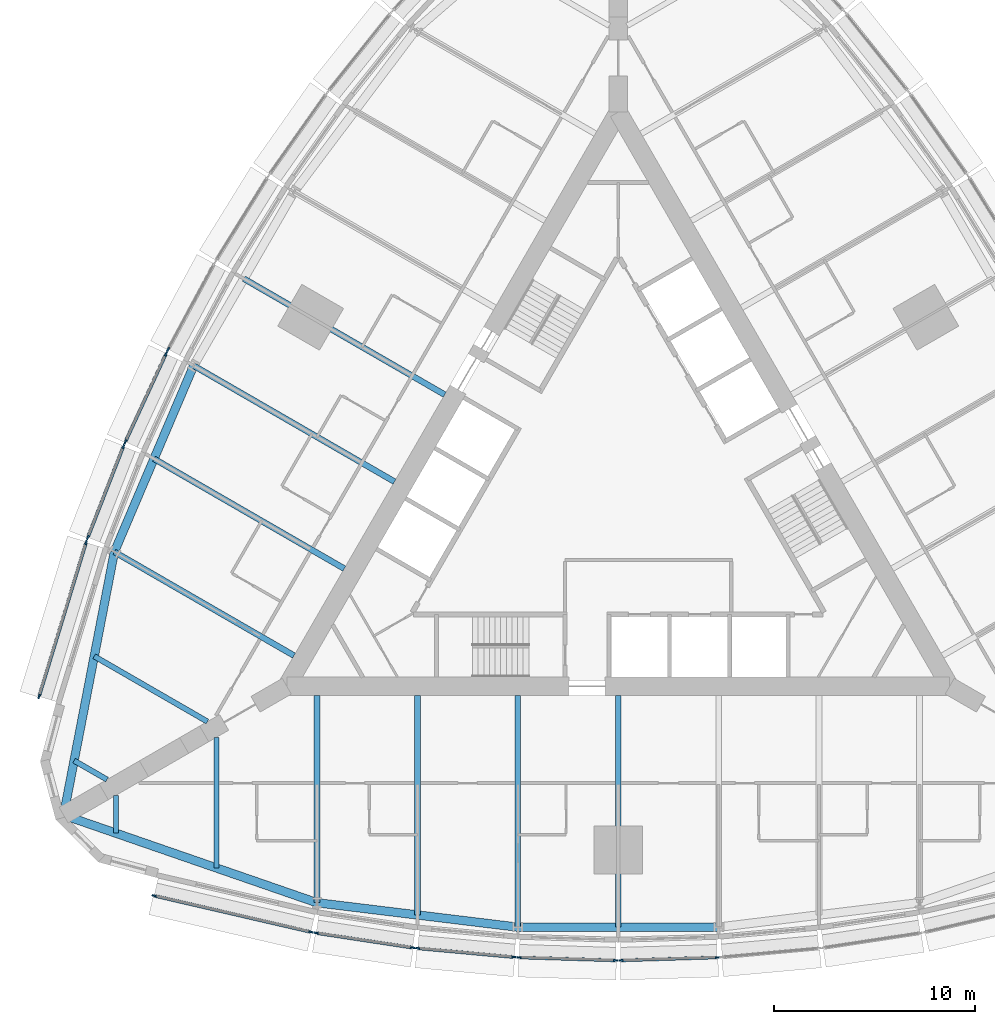
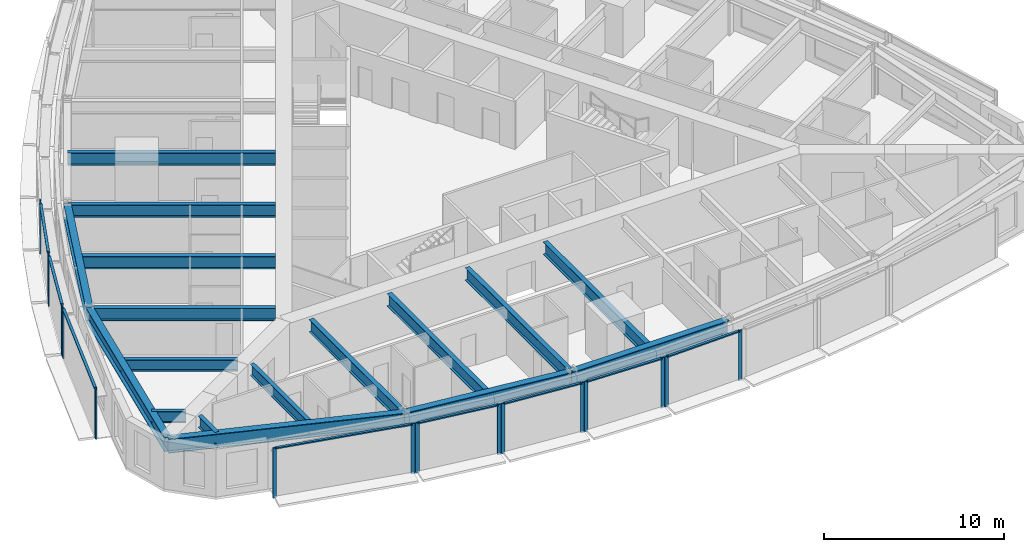
# One storey, part 2 of 14: 25 members, 17 beams, 9 elements without a shape of their own.
"""IFC4 building model written with IfcOpenShell, lengths in metres."""

from ifc_helpers import new_model, si_unit, direction, frame, origin, origin_2d, place, context, subcontext, project, spatial, rectangle, i_section, extrude, material, material_profile, profile_set, type_object, element, aggregate, save


model = new_model("IFC4")

# Units and contexts
model_context = context("Model", 3, precision=1e-05, world=origin(), true_north=direction((0.0, 1.0)))
body_context = subcontext(model_context, "Body", "Model", "MODEL_VIEW")
ifc_project = project(units=[si_unit("LENGTHUNIT", "METRE"), si_unit("AREAUNIT", "SQUARE_METRE"), si_unit("VOLUMEUNIT", "CUBIC_METRE"), si_unit("PLANEANGLEUNIT", "RADIAN"), si_unit("MASSUNIT", "GRAM", prefix="KILO")], contexts=[model_context])

# Site, building, storey
site_placement = place(None, origin())
site = spatial("IfcSite", under=ifc_project, at=site_placement, CompositionType="ELEMENT")
building_placement = place(site_placement, origin())
building = spatial("IfcBuilding", under=site, at=building_placement, Name="Trikona Tower", CompositionType="ELEMENT")
storey_placement = place(building_placement, frame((0.0, 0.0, 76.10009765625)))
storey = spatial("IfcBuildingStorey", under=building, at=storey_placement, Name="L19", CompositionType="ELEMENT", Elevation=76.10009765625)

# Curtain wall, members
ifc_material_1 = material(Name="Aluminium curtain wall system", Category="aluminium")
curtain_wall_type = type_object("IfcCurtainWallType", Name="Curtain wall DS1", PredefinedType="NOTDEFINED", material=ifc_material_1)
curtain_wall_1_placement = place(storey_placement, origin())
curtain_wall_1 = element("IfcCurtainWall", 1, at=curtain_wall_1_placement, inside=storey, type_object=curtain_wall_type, Name="Curtain wall DS1 L19", PredefinedType="NOTDEFINED")
ifc_material_2 = material(Name="Aluminium mullion, pale anodised", Category="aluminium")
ifc_material_profile_1 = material_profile(ifc_material_2, rectangle(XDim=0.080078125, YDim=0.219970703125, at=origin_2d()), Name="MUL-DS1")
ifc_profile_set_1 = profile_set([ifc_material_profile_1], Name="Aluminium mullion, pale anodised")
member_type_1 = type_object("IfcMemberType", Name="Mullion DS1 80x220", PredefinedType="MULLION", material=ifc_profile_set_1)
member_1_placement = place(storey_placement, frame((-23.10546875, -19.951904296875, 0.0), z_axis=(0.0, 0.0, 1.0), x_axis=(0.225343288756, 0.974279427173, 0.0)))
member_1 = element("IfcMember", 2, at=member_1_placement, type_object=member_type_1, Name="CW-DS1 mullion 1", PredefinedType="MULLION", context=body_context, shape_type="SweptSolid", body=[
    extrude(rectangle(XDim=0.080078125, YDim=0.219970703125, at=origin_2d()), origin(), (0.0, 0.0, 1.0), 3.39990234375),
])
member_2_placement = place(storey_placement, frame((-15.30029296875, -21.75732421875, 0.0), z_axis=(0.0, 0.0, 1.0), x_axis=(0.225343288756, 0.974279427173, 0.0)))
member_2 = element("IfcMember", 3, at=member_2_placement, type_object=member_type_1, Name="CW-DS1 mullion 2", PredefinedType="MULLION", context=body_context, shape_type="SweptSolid", body=[
    extrude(rectangle(XDim=0.080078125, YDim=0.219970703125, at=origin_2d()), origin(), (0.0, 0.0, 1.0), 3.39990234375),
])

curtain_wall_2_placement = place(storey_placement, origin())
curtain_wall_2 = element("IfcCurtainWall", 4, at=curtain_wall_2_placement, inside=storey, type_object=curtain_wall_type, Name="Curtain wall DS1 L19", PredefinedType="NOTDEFINED")
member_3_placement = place(storey_placement, frame((-15.03662109375, -21.807861328125, 0.0), z_axis=(0.0, 0.0, 1.0), x_axis=(0.150437693845, 0.988619492156, 0.0)))
member_3 = element("IfcMember", 5, at=member_3_placement, type_object=member_type_1, Name="CW-DS1 mullion 1", PredefinedType="MULLION", context=body_context, shape_type="SweptSolid", body=[
    extrude(rectangle(XDim=0.080078125, YDim=0.219970703125, at=origin_2d()), origin(), (0.0, 0.0, 1.0), 3.39990234375),
])
member_4_placement = place(storey_placement, frame((-10.234130859375, -22.53857421875, 0.0), z_axis=(0.0, 0.0, 1.0), x_axis=(0.150437693845, 0.988619492156, 0.0)))
member_4 = element("IfcMember", 6, at=member_4_placement, type_object=member_type_1, Name="CW-DS1 mullion 2", PredefinedType="MULLION", context=body_context, shape_type="SweptSolid", body=[
    extrude(rectangle(XDim=0.080078125, YDim=0.219970703125, at=origin_2d()), origin(), (0.0, 0.0, 1.0), 3.39990234375),
])

curtain_wall_3_placement = place(storey_placement, origin())
curtain_wall_3 = element("IfcCurtainWall", 7, at=curtain_wall_3_placement, inside=storey, type_object=curtain_wall_type, Name="Curtain wall DS1 L19", PredefinedType="NOTDEFINED")
member_5_placement = place(storey_placement, frame((-9.982177734375, -22.5693359375, 0.0), z_axis=(0.0, 0.0, 1.0), x_axis=(0.090923932737, 0.995857840485, 0.0)))
member_5 = element("IfcMember", 8, at=member_5_placement, type_object=member_type_1, Name="CW-DS1 mullion 1", PredefinedType="MULLION", context=body_context, shape_type="SweptSolid", body=[
    extrude(rectangle(XDim=0.080078125, YDim=0.219970703125, at=origin_2d()), origin(), (0.0, 0.0, 1.0), 3.39990234375),
])
member_6_placement = place(storey_placement, frame((-5.181396484375, -23.007568359375, 0.0), z_axis=(0.0, 0.0, 1.0), x_axis=(0.090923932737, 0.995857840485, 0.0)))
member_6 = element("IfcMember", 9, at=member_6_placement, type_object=member_type_1, Name="CW-DS1 mullion 2", PredefinedType="MULLION", context=body_context, shape_type="SweptSolid", body=[
    extrude(rectangle(XDim=0.080078125, YDim=0.219970703125, at=origin_2d()), origin(), (0.0, 0.0, 1.0), 3.39990234375),
])

curtain_wall_4_placement = place(storey_placement, origin())
curtain_wall_4 = element("IfcCurtainWall", 10, at=curtain_wall_4_placement, inside=storey, type_object=curtain_wall_type, Name="Curtain wall DS1 L19", PredefinedType="NOTDEFINED")
member_7_placement = place(storey_placement, frame((-4.927490234375, -23.02294921875, 0.0), z_axis=(0.0, 0.0, 1.0), x_axis=(0.030436711692, 0.999536695965, 0.0)))
member_7 = element("IfcMember", 11, at=member_7_placement, type_object=member_type_1, Name="CW-DS1 mullion 1", PredefinedType="MULLION", context=body_context, shape_type="SweptSolid", body=[
    extrude(rectangle(XDim=0.080078125, YDim=0.219970703125, at=origin_2d()), origin(), (0.0, 0.0, 1.0), 3.39990234375),
])
member_8_placement = place(storey_placement, frame((-0.12744140625, -23.169189453125, 0.0), z_axis=(0.0, 0.0, 1.0), x_axis=(0.030436711692, 0.999536695965, 0.0)))
member_8 = element("IfcMember", 12, at=member_8_placement, type_object=member_type_1, Name="CW-DS1 mullion 2", PredefinedType="MULLION", context=body_context, shape_type="SweptSolid", body=[
    extrude(rectangle(XDim=0.080078125, YDim=0.219970703125, at=origin_2d()), origin(), (0.0, 0.0, 1.0), 3.39990234375),
])

curtain_wall_5_placement = place(storey_placement, origin())
curtain_wall_5 = element("IfcCurtainWall", 13, at=curtain_wall_5_placement, inside=storey, type_object=curtain_wall_type, Name="Curtain wall DS1 L19", PredefinedType="NOTDEFINED")
member_9_placement = place(storey_placement, frame((0.12744140625, -23.169189453125, 0.0), z_axis=(0.0, 0.0, 1.0), x_axis=(-0.030436711692, 0.999536695965, 0.0)))
member_9 = element("IfcMember", 14, at=member_9_placement, type_object=member_type_1, Name="CW-DS1 mullion 1", PredefinedType="MULLION", context=body_context, shape_type="SweptSolid", body=[
    extrude(rectangle(XDim=0.080078125, YDim=0.219970703125, at=origin_2d()), origin(), (0.0, 0.0, 1.0), 3.39990234375),
])
member_10_placement = place(storey_placement, frame((4.927490234375, -23.02294921875, 0.0), z_axis=(0.0, 0.0, 1.0), x_axis=(-0.030436711692, 0.999536695965, 0.0)))
member_10 = element("IfcMember", 15, at=member_10_placement, type_object=member_type_1, Name="CW-DS1 mullion 2", PredefinedType="MULLION", context=body_context, shape_type="SweptSolid", body=[
    extrude(rectangle(XDim=0.080078125, YDim=0.219970703125, at=origin_2d()), origin(), (0.0, 0.0, 1.0), 3.39990234375),
])

# Curtain wall, member
curtain_wall_6_placement = place(storey_placement, origin())
curtain_wall_6 = element("IfcCurtainWall", 16, at=curtain_wall_6_placement, inside=storey, type_object=curtain_wall_type, Name="Curtain wall DS1 L19", PredefinedType="NOTDEFINED")
member_11_placement = place(storey_placement, frame((-22.402099609375, 7.244140625, 0.0), z_axis=(0.0, 0.0, 1.0), x_axis=(0.880843080975, -0.473408350896, 0.0)))
member_11 = element("IfcMember", 17, at=member_11_placement, type_object=member_type_1, Name="CW-DS1 mullion 2", PredefinedType="MULLION", context=body_context, shape_type="SweptSolid", body=[
    extrude(rectangle(XDim=0.080078125, YDim=0.219970703125, at=origin_2d()), origin(), (0.0, 0.0, 1.0), 3.39990234375),
])
aggregate(curtain_wall_6, [member_11])

# Curtain wall, members
curtain_wall_7_placement = place(storey_placement, origin())
curtain_wall_7 = element("IfcCurtainWall", 18, at=curtain_wall_7_placement, inside=storey, type_object=curtain_wall_type, Name="Curtain wall DS1 L19", PredefinedType="NOTDEFINED")
member_12_placement = place(storey_placement, frame((-22.515869140625, 7.0166015625, 0.0), z_axis=(0.0, 0.0, 1.0), x_axis=(0.907898459992, -0.419190155352, 0.0)))
member_12 = element("IfcMember", 19, at=member_12_placement, type_object=member_type_1, Name="CW-DS1 mullion 1", PredefinedType="MULLION", context=body_context, shape_type="SweptSolid", body=[
    extrude(rectangle(XDim=0.080078125, YDim=0.219970703125, at=origin_2d()), origin(), (0.0, 0.0, 1.0), 3.39990234375),
])
member_13_placement = place(storey_placement, frame((-24.53662109375, 2.6396484375, 0.0), z_axis=(0.0, 0.0, 1.0), x_axis=(0.907898459992, -0.419190155352, 0.0)))
member_13 = element("IfcMember", 20, at=member_13_placement, type_object=member_type_1, Name="CW-DS1 mullion 2", PredefinedType="MULLION", context=body_context, shape_type="SweptSolid", body=[
    extrude(rectangle(XDim=0.080078125, YDim=0.219970703125, at=origin_2d()), origin(), (0.0, 0.0, 1.0), 3.39990234375),
])

curtain_wall_8_placement = place(storey_placement, origin())
curtain_wall_8 = element("IfcCurtainWall", 21, at=curtain_wall_8_placement, inside=storey, type_object=curtain_wall_type, Name="Curtain wall DS1 L19", PredefinedType="NOTDEFINED")
member_14_placement = place(storey_placement, frame((-24.63623046875, 2.40625, 0.0), z_axis=(0.0, 0.0, 1.0), x_axis=(0.931395989443, -0.36400756977, 0.0)))
member_14 = element("IfcMember", 22, at=member_14_placement, type_object=member_type_1, Name="CW-DS1 mullion 1", PredefinedType="MULLION", context=body_context, shape_type="SweptSolid", body=[
    extrude(rectangle(XDim=0.080078125, YDim=0.219970703125, at=origin_2d()), origin(), (0.0, 0.0, 1.0), 3.39990234375),
])
member_15_placement = place(storey_placement, frame((-26.404296875, -2.1181640625, 0.0), z_axis=(0.0, 0.0, 1.0), x_axis=(0.931395989443, -0.36400756977, 0.0)))
member_15 = element("IfcMember", 23, at=member_15_placement, type_object=member_type_1, Name="CW-DS1 mullion 2", PredefinedType="MULLION", context=body_context, shape_type="SweptSolid", body=[
    extrude(rectangle(XDim=0.080078125, YDim=0.219970703125, at=origin_2d()), origin(), (0.0, 0.0, 1.0), 3.39990234375),
])

curtain_wall_9_placement = place(storey_placement, origin())
curtain_wall_9 = element("IfcCurtainWall", 24, at=curtain_wall_9_placement, inside=storey, type_object=curtain_wall_type, Name="Curtain wall DS1 L19", PredefinedType="NOTDEFINED")
member_16_placement = place(storey_placement, frame((-26.492431640625, -2.371826171875, 0.0), z_axis=(0.0, 0.0, 1.0), x_axis=(0.956423115383, -0.291984287868, 0.0)))
member_16 = element("IfcMember", 25, at=member_16_placement, type_object=member_type_1, Name="CW-DS1 mullion 1", PredefinedType="MULLION", context=body_context, shape_type="SweptSolid", body=[
    extrude(rectangle(XDim=0.080078125, YDim=0.219970703125, at=origin_2d()), origin(), (0.0, 0.0, 1.0), 3.39990234375),
])
member_17_placement = place(storey_placement, frame((-28.83154296875, -10.033935546875, 0.0), z_axis=(0.0, 0.0, 1.0), x_axis=(0.956423115383, -0.291984287868, 0.0)))
member_17 = element("IfcMember", 26, at=member_17_placement, type_object=member_type_1, Name="CW-DS1 mullion 2", PredefinedType="MULLION", context=body_context, shape_type="SweptSolid", body=[
    extrude(rectangle(XDim=0.080078125, YDim=0.219970703125, at=origin_2d()), origin(), (0.0, 0.0, 1.0), 3.39990234375),
])

# Beams
ifc_material_3 = material(Name="Steel ASTM A992 Grade 50", Category="steel")
ifc_material_profile_2 = material_profile(ifc_material_3, i_section(OverallWidth=0.2666015625, OverallDepth=0.76953125, WebThickness=0.015625, FlangeThickness=0.025390625, at=origin_2d()), Name="W30X132")
ifc_profile_set_2 = profile_set([ifc_material_profile_2], Name="Steel ASTM A992 Grade 50")
beam_type_1 = type_object("IfcBeamType", Name="Steel beam W30x132 (wedge)", PredefinedType="BEAM", material=ifc_profile_set_2)
beam_1_placement = place(storey_placement, frame((-25.0, -14.953369140625, 2.85009765625), z_axis=(0.0, -1.0, 0.0), x_axis=(1.0, 0.0, 0.0)))
element("IfcBeam", 27, at=beam_1_placement, inside=storey, type_object=beam_type_1, Name="Floor beam L20 F1 u-25", PredefinedType="BEAM", context=body_context, shape_type="SweptSolid", body=[
    extrude(i_section(OverallWidth=0.2666015625, OverallDepth=0.76953125, WebThickness=0.015625, FlangeThickness=0.025390625, at=origin_2d()), origin(), (0.0, 0.0, 1.0), 1.890380859375),
])
for number, where, z_axis, x_axis, name in (
    (28, (-20.0, -12.066650390625, 2.85009765625), (0.0, -1.0, 0.0), (1.0, 0.0, 0.0), "Floor beam L20 F1 u-20"),
    (29, (-20.449951171875, -11.287109375, 2.85009765625), (-0.866022504693, 0.50000502134, 0.0), (-0.50000502134, -0.866022504693, 0.0), "Floor beam L20 F3 u20"),
):
    element("IfcBeam", number, at=place(storey_placement, frame(where, z_axis=z_axis, x_axis=x_axis)), inside=storey, type_object=beam_type_1, Name=name, PredefinedType="BEAM", context=body_context, shape_type="SweptSolid", body=[
        extrude(i_section(OverallWidth=0.2666015625, OverallDepth=0.76953125, WebThickness=0.015625, FlangeThickness=0.025390625, at=origin_2d()), origin(), (0.0, 0.0, 1.0), 6.5068359375),
    ])
beam_2_placement = place(storey_placement, frame((-25.449951171875, -14.173828125, 2.85009765625), z_axis=(-0.866065156741, 0.499931139538, 0.0), x_axis=(-0.499931139538, -0.866065156741, 0.0)))
element("IfcBeam", 30, at=beam_2_placement, inside=storey, type_object=beam_type_1, Name="Floor beam L20 F3 u25", PredefinedType="BEAM", context=body_context, shape_type="SweptSolid", body=[
    extrude(i_section(OverallWidth=0.2666015625, OverallDepth=0.76953125, WebThickness=0.015625, FlangeThickness=0.025390625, at=origin_2d()), origin(), (0.0, 0.0, 1.0), 1.890380859375),
])
ifc_material_4 = material(Name="Steel ASTM A992 Grade 50", Category="steel")
ifc_material_profile_3 = material_profile(ifc_material_4, i_section(OverallWidth=0.2919921875, OverallDepth=0.845703125, WebThickness=0.015380859375, FlangeThickness=0.0244140625, at=origin_2d()), Name="W33X141")
ifc_profile_set_3 = profile_set([ifc_material_profile_3], Name="Steel ASTM A992 Grade 50")
beam_type_2 = type_object("IfcBeamType", Name="Steel beam W33x141 (radial typ)", PredefinedType="BEAM", material=ifc_profile_set_3)
beam_3_placement = place(storey_placement, frame((-15.0, -9.976318359375, 2.81201171875), z_axis=(0.0, -1.0, 0.0), x_axis=(1.0, 0.0, 0.0)))
element("IfcBeam", 31, at=beam_3_placement, inside=storey, type_object=beam_type_2, Name="Floor beam L20 F1 u-15", PredefinedType="BEAM", context=body_context, shape_type="SweptSolid", body=[
    extrude(i_section(OverallWidth=0.2919921875, OverallDepth=0.845703125, WebThickness=0.015380859375, FlangeThickness=0.0244140625, at=origin_2d()), origin(), (0.0, 0.0, 1.0), 10.32666015625),
])
beam_4_placement = place(storey_placement, frame((-10.0, -9.976318359375, 2.81201171875), z_axis=(0.0, -1.0, 0.0), x_axis=(1.0, 0.0, 0.0)))
element("IfcBeam", 32, at=beam_4_placement, inside=storey, type_object=beam_type_2, Name="Floor beam L20 F1 u-10", PredefinedType="BEAM", context=body_context, shape_type="SweptSolid", body=[
    extrude(i_section(OverallWidth=0.2919921875, OverallDepth=0.845703125, WebThickness=0.015380859375, FlangeThickness=0.0244140625, at=origin_2d()), origin(), (0.0, 0.0, 1.0), 10.935302734375),
])
for number, where, z_axis, x_axis, name in (
    (33, (-5.0, -9.976318359375, 2.81201171875), (0.0, -1.0, 0.0), (1.0, 0.0, 0.0), "Floor beam L20 F1 u-5"),
    (34, (0.0, -9.976318359375, 2.81201171875), (0.0, -1.0, 0.0), (1.0, 0.0, 0.0), "Floor beam L20 F1 u0"),
    (35, (-8.6396484375, 4.988037109375, 2.81201171875), (-0.866020765707, 0.500008033299, 0.0), (-0.500008033299, -0.866020765707, 0.0), "Floor beam L20 F3 u0"),
    (36, (-11.1396484375, 0.657958984375, 2.81201171875), (-0.866020765707, 0.500008033299, 0.0), (-0.500008033299, -0.866020765707, 0.0), "Floor beam L20 F3 u5"),
):
    element("IfcBeam", number, at=place(storey_placement, frame(where, z_axis=z_axis, x_axis=x_axis)), inside=storey, type_object=beam_type_2, Name=name, PredefinedType="BEAM", context=body_context, shape_type="SweptSolid", body=[
        extrude(i_section(OverallWidth=0.2919921875, OverallDepth=0.845703125, WebThickness=0.015380859375, FlangeThickness=0.0244140625, at=origin_2d()), origin(), (0.0, 0.0, 1.0), 11.544189453125),
    ])
beam_5_placement = place(storey_placement, frame((-13.6396484375, -3.672119140625, 2.81201171875), z_axis=(-0.866025348605, 0.500000095573, 0.0), x_axis=(-0.500000095573, -0.866025348605, 0.0)))
element("IfcBeam", 37, at=beam_5_placement, inside=storey, type_object=beam_type_2, Name="Floor beam L20 F3 u10", PredefinedType="BEAM", context=body_context, shape_type="SweptSolid", body=[
    extrude(i_section(OverallWidth=0.2919921875, OverallDepth=0.845703125, WebThickness=0.015380859375, FlangeThickness=0.0244140625, at=origin_2d()), origin(), (0.0, 0.0, 1.0), 10.935546875),
])
beam_6_placement = place(storey_placement, frame((-16.1396484375, -8.002197265625, 2.81201171875), z_axis=(-0.866030471684, 0.499991222037, 0.0), x_axis=(-0.499991222037, -0.866030471684, 0.0)))
element("IfcBeam", 38, at=beam_6_placement, inside=storey, type_object=beam_type_2, Name="Floor beam L20 F3 u15", PredefinedType="BEAM", context=body_context, shape_type="SweptSolid", body=[
    extrude(i_section(OverallWidth=0.2919921875, OverallDepth=0.845703125, WebThickness=0.015380859375, FlangeThickness=0.0244140625, at=origin_2d()), origin(), (0.0, 0.0, 1.0), 10.326904296875),
])
ifc_material_5 = material(Name="Steel ASTM A992 Grade 50", Category="steel")
ifc_material_profile_4 = material_profile(ifc_material_5, i_section(OverallWidth=0.424072265625, OverallDepth=0.947509765625, WebThickness=0.02392578125, FlangeThickness=0.042724609375, at=origin_2d()), Name="W36X302")
ifc_profile_set_4 = profile_set([ifc_material_profile_4], Name="Steel ASTM A992 Grade 50")
beam_type_3 = type_object("IfcBeamType", Name="Steel beam W36x302 (spandrel)", PredefinedType="SPANDREL", material=ifc_profile_set_4)
beam_7_placement = place(storey_placement, frame((-27.6103515625, -15.94091796875, 2.76123046875), z_axis=(0.945056965739, -0.326905692071, 0.0), x_axis=(0.326905692071, 0.945056965739, 0.0)))
element("IfcBeam", 39, at=beam_7_placement, inside=storey, type_object=beam_type_3, Name="Spandrel beam L20 F1-1", PredefinedType="SPANDREL", context=body_context, shape_type="SweptSolid", body=[
    extrude(i_section(OverallWidth=0.424072265625, OverallDepth=0.947509765625, WebThickness=0.02392578125, FlangeThickness=0.042724609375, at=origin_2d()), origin(), (0.0, 0.0, 1.0), 13.343505859375),
])
beam_8_placement = place(storey_placement, frame((-15.0, -20.302978515625, 2.76123046875), z_axis=(0.99266951126, -0.120860421207, 0.0), x_axis=(0.120860421207, 0.99266951126, 0.0)))
element("IfcBeam", 40, at=beam_8_placement, inside=storey, type_object=beam_type_3, Name="Spandrel beam L20 F1-2", PredefinedType="SPANDREL", context=body_context, shape_type="SweptSolid", body=[
    extrude(i_section(OverallWidth=0.424072265625, OverallDepth=0.947509765625, WebThickness=0.02392578125, FlangeThickness=0.042724609375, at=origin_2d()), origin(), (0.0, 0.0, 1.0), 10.07373046875),
])
beam_9_placement = place(storey_placement, frame((-5.0, -21.5205078125, 2.76123046875), z_axis=(1.0, 0.0, 0.0), x_axis=(0.0, 1.0, 0.0)))
element("IfcBeam", 41, at=beam_9_placement, inside=storey, type_object=beam_type_3, Name="Spandrel beam L20 F1-3", PredefinedType="SPANDREL", context=body_context, shape_type="SweptSolid", body=[
    extrude(i_section(OverallWidth=0.424072265625, OverallDepth=0.947509765625, WebThickness=0.02392578125, FlangeThickness=0.042724609375, at=origin_2d()), origin(), (0.0, 0.0, 1.0), 10.0),
])
beam_10_placement = place(storey_placement, frame((-21.13720703125, 6.43017578125, 2.76123046875), z_axis=(-0.391683514847, -0.920100007715, 0.0), x_axis=(0.920100007715, -0.391683514847, 0.0)))
element("IfcBeam", 42, at=beam_10_placement, inside=storey, type_object=beam_type_3, Name="Spandrel beam L20 F3-4", PredefinedType="SPANDREL", context=body_context, shape_type="SweptSolid", body=[
    extrude(i_section(OverallWidth=0.424072265625, OverallDepth=0.947509765625, WebThickness=0.02392578125, FlangeThickness=0.042724609375, at=origin_2d()), origin(), (0.0, 0.0, 1.0), 10.073974609375),
])
beam_11_placement = place(storey_placement, frame((-25.0830078125, -2.8388671875, 2.76123046875), z_axis=(-0.189405184036, -0.981899015307, 0.0), x_axis=(0.981899015307, -0.189405184036, 0.0)))
element("IfcBeam", 43, at=beam_11_placement, inside=storey, type_object=beam_type_3, Name="Spandrel beam L20 F3-5", PredefinedType="SPANDREL", context=body_context, shape_type="SweptSolid", body=[
    extrude(i_section(OverallWidth=0.424072265625, OverallDepth=0.947509765625, WebThickness=0.02392578125, FlangeThickness=0.042724609375, at=origin_2d()), origin(), (0.0, 0.0, 1.0), 13.343505859375),
])

# Member
ifc_material_6 = material(Name="Aluminium transom, pale anodised", Category="aluminium")
ifc_material_profile_5 = material_profile(ifc_material_6, rectangle(XDim=0.159912109375, YDim=0.080078125, at=origin_2d()), Name="TRN-DS1")
ifc_profile_set_5 = profile_set([ifc_material_profile_5], Name="Aluminium transom, pale anodised")
member_type_2 = type_object("IfcMemberType", Name="Transom DS1 80x160", PredefinedType="USERDEFINED", material=ifc_profile_set_5)
member_18_placement = place(storey_placement, frame((-23.06640625, -19.9609375, 3.35986328125), z_axis=(0.974275371842, -0.225360821398, 0.0), x_axis=(0.225360821398, 0.974275371842, 0.0)))
member_18 = element("IfcMember", 44, at=member_18_placement, type_object=member_type_2, Name="CW-DS1 transom 1.1", ObjectType="TRANSOM", PredefinedType="USERDEFINED", context=body_context, shape_type="SweptSolid", body=[
    extrude(rectangle(XDim=0.159912109375, YDim=0.080078125, at=origin_2d()), origin(), (0.0, 0.0, 1.0), 7.93115234375),
])

aggregate(curtain_wall_1, [member_1, member_2, member_18])

member_19_placement = place(storey_placement, frame((-14.9970703125, -21.813720703125, 3.35986328125), z_axis=(0.988619663412, -0.150436568413, 0.0), x_axis=(0.150436568413, 0.988619663412, 0.0)))
member_19 = element("IfcMember", 45, at=member_19_placement, type_object=member_type_2, Name="CW-DS1 transom 1.1", ObjectType="TRANSOM", PredefinedType="USERDEFINED", context=body_context, shape_type="SweptSolid", body=[
    extrude(rectangle(XDim=0.159912109375, YDim=0.080078125, at=origin_2d()), origin(), (0.0, 0.0, 1.0), 4.77783203125),
])

aggregate(curtain_wall_2, [member_3, member_4, member_19])

member_20_placement = place(storey_placement, frame((-9.9423828125, -22.57275390625, 3.35986328125), z_axis=(0.995855977008, -0.090944340438, 0.0), x_axis=(0.090944340438, 0.995855977008, 0.0)))
member_20 = element("IfcMember", 46, at=member_20_placement, type_object=member_type_2, Name="CW-DS1 transom 1.1", ObjectType="TRANSOM", PredefinedType="USERDEFINED", context=body_context, shape_type="SweptSolid", body=[
    extrude(rectangle(XDim=0.159912109375, YDim=0.080078125, at=origin_2d()), origin(), (0.0, 0.0, 1.0), 4.74072265625),
])

aggregate(curtain_wall_3, [member_5, member_6, member_20])

member_21_placement = place(storey_placement, frame((-4.887451171875, -23.024169921875, 3.35986328125), z_axis=(0.999536232946, -0.030451913371, 0.0), x_axis=(0.030451913371, 0.999536232946, 0.0)))
member_21 = element("IfcMember", 47, at=member_21_placement, type_object=member_type_2, Name="CW-DS1 transom 1.1", ObjectType="TRANSOM", PredefinedType="USERDEFINED", context=body_context, shape_type="SweptSolid", body=[
    extrude(rectangle(XDim=0.159912109375, YDim=0.080078125, at=origin_2d()), origin(), (0.0, 0.0, 1.0), 4.72216796875),
])

aggregate(curtain_wall_4, [member_7, member_8, member_21])

member_22_placement = place(storey_placement, frame((0.16748046875, -23.16796875, 3.35986328125), z_axis=(0.999536232946, 0.030451913371, 0.0), x_axis=(-0.030451913371, 0.999536232946, 0.0)))
member_22 = element("IfcMember", 48, at=member_22_placement, type_object=member_type_2, Name="CW-DS1 transom 1.1", ObjectType="TRANSOM", PredefinedType="USERDEFINED", context=body_context, shape_type="SweptSolid", body=[
    extrude(rectangle(XDim=0.159912109375, YDim=0.080078125, at=origin_2d()), origin(), (0.0, 0.0, 1.0), 4.72216796875),
])

aggregate(curtain_wall_5, [member_9, member_10, member_22])

member_23_placement = place(storey_placement, frame((-22.53271484375, 6.980224609375, 3.35986328125), z_axis=(-0.419188800665, -0.90789908547, 0.0), x_axis=(0.90789908547, -0.419188800665, 0.0)))
member_23 = element("IfcMember", 49, at=member_23_placement, type_object=member_type_2, Name="CW-DS1 transom 1.1", ObjectType="TRANSOM", PredefinedType="USERDEFINED", context=body_context, shape_type="SweptSolid", body=[
    extrude(rectangle(XDim=0.159912109375, YDim=0.080078125, at=origin_2d()), origin(), (0.0, 0.0, 1.0), 4.74072265625),
])

aggregate(curtain_wall_7, [member_12, member_13, member_23])

member_24_placement = place(storey_placement, frame((-24.650634765625, 2.368896484375, 3.35986328125), z_axis=(-0.364048647668, -0.931379934362, 0.0), x_axis=(0.931379934362, -0.364048647668, 0.0)))
member_24 = element("IfcMember", 50, at=member_24_placement, type_object=member_type_2, Name="CW-DS1 transom 1.1", ObjectType="TRANSOM", PredefinedType="USERDEFINED", context=body_context, shape_type="SweptSolid", body=[
    extrude(rectangle(XDim=0.159912109375, YDim=0.080078125, at=origin_2d()), origin(), (0.0, 0.0, 1.0), 4.777587890625),
])

aggregate(curtain_wall_8, [member_14, member_15, member_24])

member_25_placement = place(storey_placement, frame((-26.504150390625, -2.409912109375, 3.35986328125), z_axis=(-0.291967490203, -0.956428243343, 0.0), x_axis=(0.956428243343, -0.291967490203, 0.0)))
member_25 = element("IfcMember", 51, at=member_25_placement, type_object=member_type_2, Name="CW-DS1 transom 1.1", ObjectType="TRANSOM", PredefinedType="USERDEFINED", context=body_context, shape_type="SweptSolid", body=[
    extrude(rectangle(XDim=0.159912109375, YDim=0.080078125, at=origin_2d()), origin(), (0.0, 0.0, 1.0), 7.93115234375),
])

aggregate(curtain_wall_9, [member_16, member_17, member_25])

save(model, "model.ifc")
